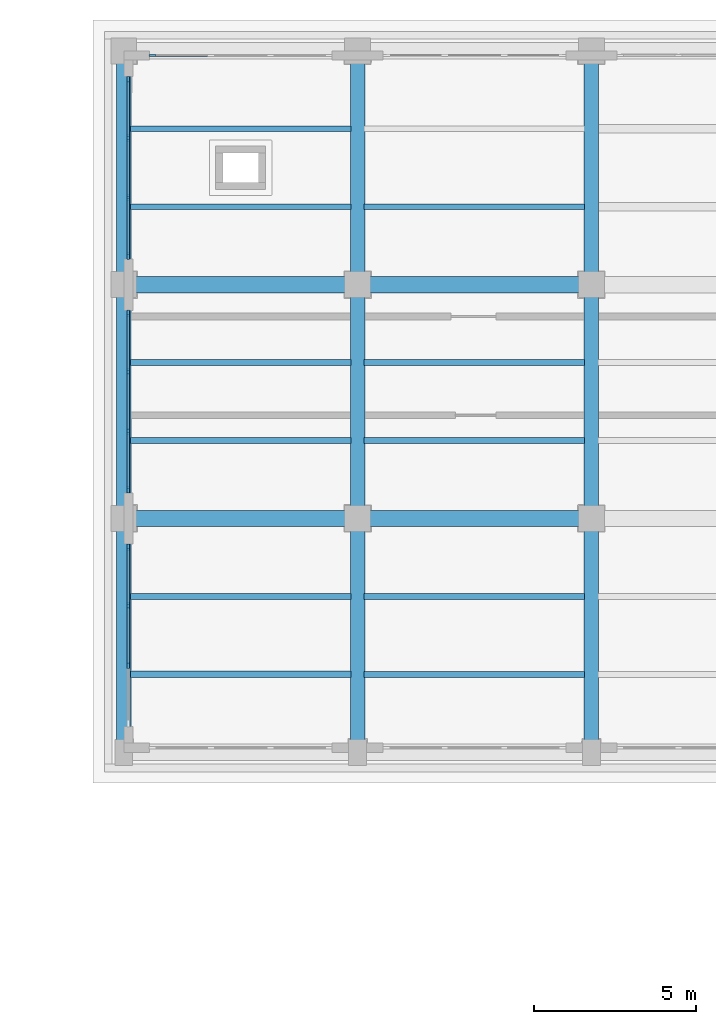
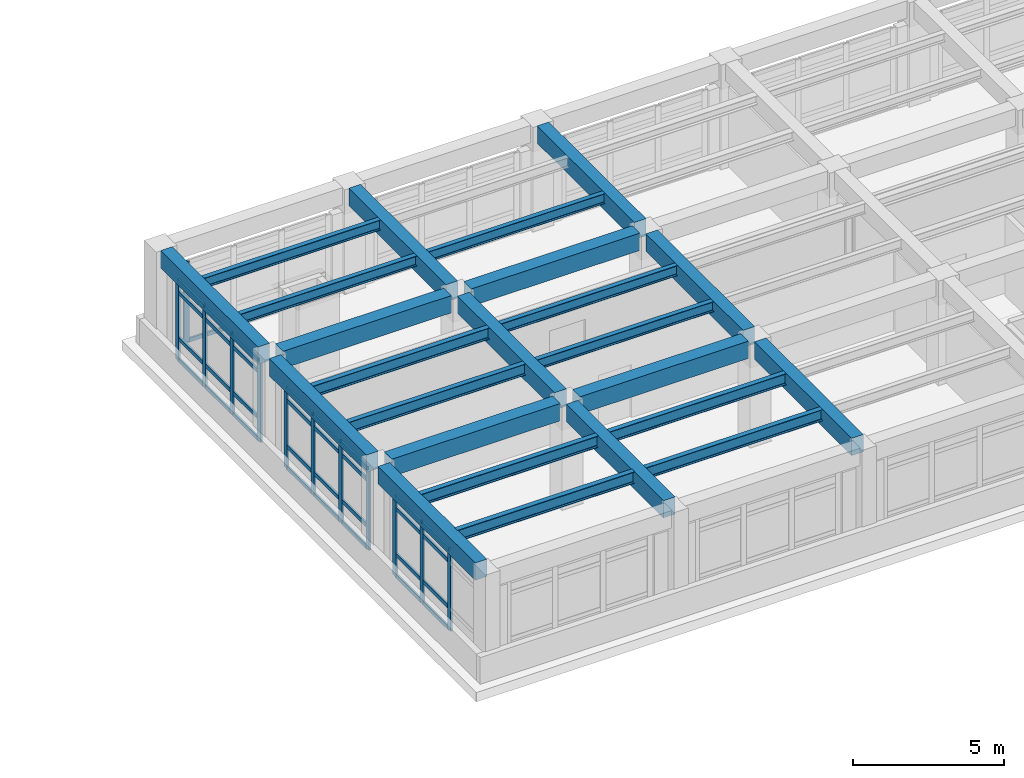
# One storey, part 53 of 98: 45 members, 24 beams, 4 elements without a shape of their own.
"""IFC4 building model written with IfcOpenShell, lengths in metres."""

from ifc_helpers import new_model, si_unit, direction, frame, origin, origin_2d, place, context, subcontext, project, spatial, rectangle, i_section, extrude, material, layer, layer_set, material_profile, profile_set, type_object, element, aggregate, save


model = new_model("IFC4")

# Units and contexts
model_context = context("Model", 3, precision=1e-05, world=origin(), true_north=direction((0.0, 1.0)))
body_context = subcontext(model_context, "Body", "Model", "MODEL_VIEW")
ifc_project = project(units=[si_unit("LENGTHUNIT", "METRE"), si_unit("AREAUNIT", "SQUARE_METRE"), si_unit("VOLUMEUNIT", "CUBIC_METRE"), si_unit("PLANEANGLEUNIT", "RADIAN"), si_unit("MASSUNIT", "GRAM", prefix="KILO")], contexts=[model_context])

# Site, building, storey
site_placement = place(None, origin())
site = spatial("IfcSite", under=ifc_project, at=site_placement, CompositionType="ELEMENT")
building_placement = place(site_placement, origin())
building = spatial("IfcBuilding", under=site, at=building_placement, Name="Solenvale Faculty of Natural Sciences", CompositionType="ELEMENT")
storey_placement = place(building_placement, frame((0.0, 0.0, 9.0)))
storey = spatial("IfcBuildingStorey", under=building, at=storey_placement, Name="L02", CompositionType="ELEMENT", Elevation=9.0)

# Beams
ifc_material_1 = material(Name="Concrete 40 MPa", Category="concrete")
ifc_material_profile_1 = material_profile(ifc_material_1, rectangle(XDim=0.449951171875, YDim=0.699951171875, at=origin_2d()), Name="RC-BM-450x700")
ifc_profile_set_1 = profile_set([ifc_material_profile_1], Name="Concrete 40 MPa")
beam_type_1 = type_object("IfcBeamType", Name="BM-RC-450x700", PredefinedType="BEAM", material=ifc_profile_set_1)
beam_1_placement = place(storey_placement, frame((79.199951171875, 93.97998046875, 3.8701171875), z_axis=(0.0, 1.0, 0.0), x_axis=(-1.0, 0.0, 0.0)))
element("IfcBeam", 1, at=beam_1_placement, inside=storey, type_object=beam_type_1, Name="L02 Y-Girder X79.2 (93.6..100.8)", PredefinedType="BEAM", context=body_context, shape_type="SweptSolid", body=[
    extrude(rectangle(XDim=0.449951171875, YDim=0.699951171875, at=origin_2d()), origin(), (0.0, 0.0, 1.0), 6.43994140625),
])
for number, where, z_axis, x_axis, name in (
    (2, (79.199951171875, 101.179931640625, 3.8701171875), (0.0, 1.0, 0.0), (-1.0, 0.0, 0.0), "L02 Y-Girder X79.2 (100.8..108.0)"),
    (3, (79.199951171875, 108.3798828125, 3.8701171875), (0.0, 1.0, 0.0), (-1.0, 0.0, 0.0), "L02 Y-Girder X79.2 (108.0..115.2)"),
):
    element("IfcBeam", number, at=place(storey_placement, frame(where, z_axis=z_axis, x_axis=x_axis)), inside=storey, type_object=beam_type_1, Name=name, PredefinedType="BEAM", context=body_context, shape_type="SweptSolid", body=[
        extrude(rectangle(XDim=0.449951171875, YDim=0.699951171875, at=origin_2d()), origin(), (0.0, 0.0, 1.0), 6.440185546875),
    ])
beam_2_placement = place(storey_placement, frame((86.39990234375, 93.97998046875, 3.8701171875), z_axis=(0.0, 1.0, 0.0), x_axis=(-1.0, 0.0, 0.0)))
element("IfcBeam", 4, at=beam_2_placement, inside=storey, type_object=beam_type_1, Name="L02 Y-Girder X86.4 (93.6..100.8)", PredefinedType="BEAM", context=body_context, shape_type="SweptSolid", body=[
    extrude(rectangle(XDim=0.449951171875, YDim=0.699951171875, at=origin_2d()), origin(), (0.0, 0.0, 1.0), 6.43994140625),
])
for number, where, z_axis, x_axis, name in (
    (5, (86.39990234375, 101.179931640625, 3.8701171875), (0.0, 1.0, 0.0), (-1.0, 0.0, 0.0), "L02 Y-Girder X86.4 (100.8..108.0)"),
    (6, (86.39990234375, 108.3798828125, 3.8701171875), (0.0, 1.0, 0.0), (-1.0, 0.0, 0.0), "L02 Y-Girder X86.4 (108.0..115.2)"),
):
    element("IfcBeam", number, at=place(storey_placement, frame(where, z_axis=z_axis, x_axis=x_axis)), inside=storey, type_object=beam_type_1, Name=name, PredefinedType="BEAM", context=body_context, shape_type="SweptSolid", body=[
        extrude(rectangle(XDim=0.449951171875, YDim=0.699951171875, at=origin_2d()), origin(), (0.0, 0.0, 1.0), 6.440185546875),
    ])
beam_3_placement = place(storey_placement, frame((93.60009765625, 93.97998046875, 3.8701171875), z_axis=(0.0, 1.0, 0.0), x_axis=(-1.0, 0.0, 0.0)))
element("IfcBeam", 7, at=beam_3_placement, inside=storey, type_object=beam_type_1, Name="L02 Y-Girder X93.6 (93.6..100.8)", PredefinedType="BEAM", context=body_context, shape_type="SweptSolid", body=[
    extrude(rectangle(XDim=0.449951171875, YDim=0.699951171875, at=origin_2d()), origin(), (0.0, 0.0, 1.0), 6.43994140625),
])
for number, where, z_axis, x_axis, name in (
    (8, (93.60009765625, 101.179931640625, 3.8701171875), (0.0, 1.0, 0.0), (-1.0, 0.0, 0.0), "L02 Y-Girder X93.6 (100.8..108.0)"),
    (9, (93.60009765625, 108.3798828125, 3.8701171875), (0.0, 1.0, 0.0), (-1.0, 0.0, 0.0), "L02 Y-Girder X93.6 (108.0..115.2)"),
):
    element("IfcBeam", number, at=place(storey_placement, frame(where, z_axis=z_axis, x_axis=x_axis)), inside=storey, type_object=beam_type_1, Name=name, PredefinedType="BEAM", context=body_context, shape_type="SweptSolid", body=[
        extrude(rectangle(XDim=0.449951171875, YDim=0.699951171875, at=origin_2d()), origin(), (0.0, 0.0, 1.0), 6.440185546875),
    ])
ifc_material_profile_2 = material_profile(ifc_material_1, rectangle(XDim=0.5, YDim=0.699951171875, at=origin_2d()), Name="RC-BM-500x700")
ifc_profile_set_2 = profile_set([ifc_material_profile_2], Name="Concrete 40 MPa")
beam_type_2 = type_object("IfcBeamType", Name="BM-RC-500x700", PredefinedType="BEAM", material=ifc_profile_set_2)
for number, where, z_axis, x_axis, name in (
    (10, (79.580078125, 100.800048828125, 3.8701171875), (1.0, 0.0, 0.0), (0.0, 1.0, 0.0), "L02 X-Girder Y100.8 (79.2..86.4)"),
    (11, (86.780029296875, 100.800048828125, 3.8701171875), (1.0, 0.0, 0.0), (0.0, 1.0, 0.0), "L02 X-Girder Y100.8 (86.4..93.6)"),
    (12, (79.580078125, 108.0, 3.8701171875), (1.0, 0.0, 0.0), (0.0, 1.0, 0.0), "L02 X-Girder Y108.0 (79.2..86.4)"),
    (13, (86.780029296875, 108.0, 3.8701171875), (1.0, 0.0, 0.0), (0.0, 1.0, 0.0), "L02 X-Girder Y108.0 (86.4..93.6)"),
):
    element("IfcBeam", number, at=place(storey_placement, frame(where, z_axis=z_axis, x_axis=x_axis)), inside=storey, type_object=beam_type_2, Name=name, PredefinedType="BEAM", context=body_context, shape_type="SweptSolid", body=[
        extrude(rectangle(XDim=0.5, YDim=0.699951171875, at=origin_2d()), origin(), (0.0, 0.0, 1.0), 6.43994140625),
    ])
ifc_material_2 = material(Name="Steel S355", Category="steel")
ifc_material_profile_3 = material_profile(ifc_material_2, i_section(OverallWidth=0.178955078125, OverallDepth=0.409912109375, WebThickness=0.0087890625, FlangeThickness=0.014404296875, FilletRadius=0.01611328125, at=origin_2d()), Name="W410x67")
ifc_profile_set_3 = profile_set([ifc_material_profile_3], Name="Steel S355")
beam_type_3 = type_object("IfcBeamType", Name="BM-STL-W410x67", PredefinedType="JOIST", material=ifc_profile_set_3)
beam_4_placement = place(storey_placement, frame((86.60498046875, 110.39990234375, 4.014892578125), z_axis=(1.0, 0.0, 0.0), x_axis=(0.0, 1.0, 0.0)))
element("IfcBeam", 14, at=beam_4_placement, inside=storey, type_object=beam_type_3, Name="L02 Composite Floor Joist (13,16).1", PredefinedType="JOIST", context=body_context, shape_type="SweptSolid", body=[
    extrude(i_section(OverallWidth=0.178955078125, OverallDepth=0.409912109375, WebThickness=0.0087890625, FlangeThickness=0.014404296875, FilletRadius=0.01611328125, at=origin_2d()), origin(), (0.0, 0.0, 1.0), 6.7900390625),
])
ifc_material_profile_4 = material_profile(ifc_material_2, i_section(OverallWidth=0.180908203125, OverallDepth=0.4169921875, WebThickness=0.010986328125, FlangeThickness=0.018310546875, FilletRadius=0.01611328125, at=origin_2d()), Name="W410x85")
ifc_profile_set_4 = profile_set([ifc_material_profile_4], Name="Steel S355")
beam_type_4 = type_object("IfcBeamType", Name="BM-STL-W410x85", PredefinedType="JOIST", material=ifc_profile_set_4)
for number, where, z_axis, x_axis, name in (
    (15, (79.405029296875, 110.39990234375, 4.011474609375), (1.0, 0.0, 0.0), (0.0, 1.0, 0.0), "L02 Composite Floor Joist (12,16).1"),
    (16, (79.405029296875, 112.800048828125, 4.011474609375), (1.0, 0.0, 0.0), (0.0, 1.0, 0.0), "L02 Composite Floor Joist (12,16).2"),
    (17, (86.60498046875, 103.199951171875, 4.011474609375), (1.0, 0.0, 0.0), (0.0, 1.0, 0.0), "L02 Composite Floor Joist (13,15).1"),
    (18, (86.60498046875, 105.60009765625, 4.011474609375), (1.0, 0.0, 0.0), (0.0, 1.0, 0.0), "L02 Composite Floor Joist (13,15).2"),
):
    element("IfcBeam", number, at=place(storey_placement, frame(where, z_axis=z_axis, x_axis=x_axis)), inside=storey, type_object=beam_type_4, Name=name, PredefinedType="JOIST", context=body_context, shape_type="SweptSolid", body=[
        extrude(i_section(OverallWidth=0.180908203125, OverallDepth=0.4169921875, WebThickness=0.010986328125, FlangeThickness=0.018310546875, FilletRadius=0.01611328125, at=origin_2d()), origin(), (0.0, 0.0, 1.0), 6.7900390625),
    ])
ifc_material_profile_5 = material_profile(ifc_material_2, i_section(OverallWidth=0.194091796875, OverallDepth=0.468994140625, WebThickness=0.0126953125, FlangeThickness=0.0205078125, FilletRadius=0.01806640625, at=origin_2d()), Name="W460x106")
ifc_profile_set_5 = profile_set([ifc_material_profile_5], Name="Steel S355")
beam_type_5 = type_object("IfcBeamType", Name="BM-STL-W460x106", PredefinedType="JOIST", material=ifc_profile_set_5)
for number, where, z_axis, x_axis, name in (
    (19, (79.405029296875, 96.0, 3.985595703125), (1.0, 0.0, 0.0), (0.0, 1.0, 0.0), "L02 Composite Floor Joist (12,14).1"),
    (20, (79.405029296875, 98.39990234375, 3.985595703125), (1.0, 0.0, 0.0), (0.0, 1.0, 0.0), "L02 Composite Floor Joist (12,14).2"),
):
    element("IfcBeam", number, at=place(storey_placement, frame(where, z_axis=z_axis, x_axis=x_axis)), inside=storey, type_object=beam_type_5, Name=name, PredefinedType="JOIST", context=body_context, shape_type="SweptSolid", body=[
        extrude(i_section(OverallWidth=0.194091796875, OverallDepth=0.468994140625, WebThickness=0.0126953125, FlangeThickness=0.0205078125, FilletRadius=0.01806640625, at=origin_2d()), origin(), (0.0, 0.0, 1.0), 6.7900390625),
    ])
ifc_material_profile_6 = material_profile(ifc_material_2, i_section(OverallWidth=0.19091796875, OverallDepth=0.4599609375, WebThickness=0.010009765625, FlangeThickness=0.01611328125, FilletRadius=0.01806640625, at=origin_2d()), Name="W460x82")
ifc_profile_set_6 = profile_set([ifc_material_profile_6], Name="Steel S355")
beam_type_6 = type_object("IfcBeamType", Name="BM-STL-W460x82", PredefinedType="JOIST", material=ifc_profile_set_6)
for number, where, z_axis, x_axis, name in (
    (21, (79.405029296875, 103.199951171875, 3.989990234375), (1.0, 0.0, 0.0), (0.0, 1.0, 0.0), "L02 Composite Floor Joist (12,15).1"),
    (22, (79.405029296875, 105.60009765625, 3.989990234375), (1.0, 0.0, 0.0), (0.0, 1.0, 0.0), "L02 Composite Floor Joist (12,15).2"),
    (23, (86.60498046875, 96.0, 3.989990234375), (1.0, 0.0, 0.0), (0.0, 1.0, 0.0), "L02 Composite Floor Joist (13,14).1"),
    (24, (86.60498046875, 98.39990234375, 3.989990234375), (1.0, 0.0, 0.0), (0.0, 1.0, 0.0), "L02 Composite Floor Joist (13,14).2"),
):
    element("IfcBeam", number, at=place(storey_placement, frame(where, z_axis=z_axis, x_axis=x_axis)), inside=storey, type_object=beam_type_6, Name=name, PredefinedType="JOIST", context=body_context, shape_type="SweptSolid", body=[
        extrude(i_section(OverallWidth=0.19091796875, OverallDepth=0.4599609375, WebThickness=0.010009765625, FlangeThickness=0.01611328125, FilletRadius=0.01806640625, at=origin_2d()), origin(), (0.0, 0.0, 1.0), 6.7900390625),
    ])

# Curtain wall, member
ifc_material_3 = material(Name="Anodised bronze aluminium", Category="aluminium")
ifc_layer = layer(ifc_material_3, 0.179931640625)
ifc_layer_set = layer_set([ifc_layer], Name="Anodised bronze aluminium")
curtain_wall_type = type_object("IfcCurtainWallType", Name="CW-TWR-MOD", PredefinedType="USERDEFINED", material=ifc_layer_set)
curtain_wall_1_placement = place(storey_placement, origin())
curtain_wall_1 = element("IfcCurtainWall", 25, at=curtain_wall_1_placement, inside=storey, type_object=curtain_wall_type, Name="L02 Curtain Wall CW-L02-P2-E4-B10", ObjectType="UNITISED CURTAIN WALL", PredefinedType="USERDEFINED")
ifc_material_profile_7 = material_profile(ifc_material_3, rectangle(XDim=0.074951171875, YDim=0.2099609375, at=origin_2d()), Name="ALU-MUL-75x210")
ifc_profile_set_7 = profile_set([ifc_material_profile_7], Name="Anodised bronze aluminium")
member_type_1 = type_object("IfcMemberType", Name="CWM-ALU-75x210", PredefinedType="MULLION", material=ifc_profile_set_7)
member_1_placement = place(storey_placement, frame((80.08740234375, 115.0576171875, 0.0), z_axis=(0.0, 0.0, 1.0), x_axis=(0.0, -1.0, 0.0)))
member_1 = element("IfcMember", 26, at=member_1_placement, type_object=member_type_1, Name="CW-04 mullion 4", PredefinedType="MULLION", context=body_context, shape_type="SweptSolid", body=[
    extrude(rectangle(XDim=0.074951171875, YDim=0.2099609375, at=origin_2d()), origin(), (0.0, 0.0, 1.0), 3.260009765625),
])

# Curtain wall, members
curtain_wall_2_placement = place(storey_placement, origin())
curtain_wall_2 = element("IfcCurtainWall", 27, at=curtain_wall_2_placement, inside=storey, type_object=curtain_wall_type, Name="L02 Curtain Wall CW-L02-P2-E5-B1", ObjectType="UNITISED CURTAIN WALL", PredefinedType="USERDEFINED")
member_2_placement = place(storey_placement, frame((79.342529296875, 114.3125, 0.0), z_axis=(0.0, 0.0, 1.0), x_axis=(1.0, 0.0, 0.0)))
member_2 = element("IfcMember", 28, at=member_2_placement, type_object=member_type_1, Name="CW-04 mullion 1", PredefinedType="MULLION", context=body_context, shape_type="SweptSolid", body=[
    extrude(rectangle(XDim=0.074951171875, YDim=0.2099609375, at=origin_2d()), origin(), (0.0, 0.0, 1.0), 3.260009765625),
])
member_3_placement = place(storey_placement, frame((79.342529296875, 112.5166015625, 0.0), z_axis=(0.0, 0.0, 1.0), x_axis=(1.0, 0.0, 0.0)))
member_3 = element("IfcMember", 29, at=member_3_placement, type_object=member_type_1, Name="CW-04 mullion 2", PredefinedType="MULLION", context=body_context, shape_type="SweptSolid", body=[
    extrude(rectangle(XDim=0.074951171875, YDim=0.2099609375, at=origin_2d()), origin(), (0.0, 0.0, 1.0), 3.260009765625),
])
member_4_placement = place(storey_placement, frame((79.342529296875, 110.683349609375, 0.0), z_axis=(0.0, 0.0, 1.0), x_axis=(1.0, 0.0, 0.0)))
member_4 = element("IfcMember", 30, at=member_4_placement, type_object=member_type_1, Name="CW-04 mullion 3", PredefinedType="MULLION", context=body_context, shape_type="SweptSolid", body=[
    extrude(rectangle(XDim=0.074951171875, YDim=0.2099609375, at=origin_2d()), origin(), (0.0, 0.0, 1.0), 3.260009765625),
])
member_5_placement = place(storey_placement, frame((79.342529296875, 108.887451171875, 0.0), z_axis=(0.0, 0.0, 1.0), x_axis=(1.0, 0.0, 0.0)))
member_5 = element("IfcMember", 31, at=member_5_placement, type_object=member_type_1, Name="CW-04 mullion 4", PredefinedType="MULLION", context=body_context, shape_type="SweptSolid", body=[
    extrude(rectangle(XDim=0.074951171875, YDim=0.2099609375, at=origin_2d()), origin(), (0.0, 0.0, 1.0), 3.260009765625),
])

curtain_wall_3_placement = place(storey_placement, origin())
curtain_wall_3 = element("IfcCurtainWall", 32, at=curtain_wall_3_placement, inside=storey, type_object=curtain_wall_type, Name="L02 Curtain Wall CW-L02-P2-E5-B2", ObjectType="UNITISED CURTAIN WALL", PredefinedType="USERDEFINED")
member_6_placement = place(storey_placement, frame((79.342529296875, 107.112548828125, 0.0), z_axis=(0.0, 0.0, 1.0), x_axis=(1.0, 0.0, 0.0)))
member_6 = element("IfcMember", 33, at=member_6_placement, type_object=member_type_1, Name="CW-04 mullion 1", PredefinedType="MULLION", context=body_context, shape_type="SweptSolid", body=[
    extrude(rectangle(XDim=0.074951171875, YDim=0.2099609375, at=origin_2d()), origin(), (0.0, 0.0, 1.0), 3.260009765625),
])
member_7_placement = place(storey_placement, frame((79.342529296875, 105.316650390625, 0.0), z_axis=(0.0, 0.0, 1.0), x_axis=(1.0, 0.0, 0.0)))
member_7 = element("IfcMember", 34, at=member_7_placement, type_object=member_type_1, Name="CW-04 mullion 2", PredefinedType="MULLION", context=body_context, shape_type="SweptSolid", body=[
    extrude(rectangle(XDim=0.074951171875, YDim=0.2099609375, at=origin_2d()), origin(), (0.0, 0.0, 1.0), 3.260009765625),
])
member_8_placement = place(storey_placement, frame((79.342529296875, 103.4833984375, 0.0), z_axis=(0.0, 0.0, 1.0), x_axis=(1.0, 0.0, 0.0)))
member_8 = element("IfcMember", 35, at=member_8_placement, type_object=member_type_1, Name="CW-04 mullion 3", PredefinedType="MULLION", context=body_context, shape_type="SweptSolid", body=[
    extrude(rectangle(XDim=0.074951171875, YDim=0.2099609375, at=origin_2d()), origin(), (0.0, 0.0, 1.0), 3.260009765625),
])
member_9_placement = place(storey_placement, frame((79.342529296875, 101.6875, 0.0), z_axis=(0.0, 0.0, 1.0), x_axis=(1.0, 0.0, 0.0)))
member_9 = element("IfcMember", 36, at=member_9_placement, type_object=member_type_1, Name="CW-04 mullion 4", PredefinedType="MULLION", context=body_context, shape_type="SweptSolid", body=[
    extrude(rectangle(XDim=0.074951171875, YDim=0.2099609375, at=origin_2d()), origin(), (0.0, 0.0, 1.0), 3.260009765625),
])

curtain_wall_4_placement = place(storey_placement, origin())
curtain_wall_4 = element("IfcCurtainWall", 37, at=curtain_wall_4_placement, inside=storey, type_object=curtain_wall_type, Name="L02 Curtain Wall CW-L02-P2-E5-B3", ObjectType="UNITISED CURTAIN WALL", PredefinedType="USERDEFINED")
member_10_placement = place(storey_placement, frame((79.342529296875, 99.91259765625, 0.0), z_axis=(0.0, 0.0, 1.0), x_axis=(1.0, 0.0, 0.0)))
member_10 = element("IfcMember", 38, at=member_10_placement, type_object=member_type_1, Name="CW-04 mullion 1", PredefinedType="MULLION", context=body_context, shape_type="SweptSolid", body=[
    extrude(rectangle(XDim=0.074951171875, YDim=0.2099609375, at=origin_2d()), origin(), (0.0, 0.0, 1.0), 3.260009765625),
])
member_11_placement = place(storey_placement, frame((79.342529296875, 98.11669921875, 0.0), z_axis=(0.0, 0.0, 1.0), x_axis=(1.0, 0.0, 0.0)))
member_11 = element("IfcMember", 39, at=member_11_placement, type_object=member_type_1, Name="CW-04 mullion 2", PredefinedType="MULLION", context=body_context, shape_type="SweptSolid", body=[
    extrude(rectangle(XDim=0.074951171875, YDim=0.2099609375, at=origin_2d()), origin(), (0.0, 0.0, 1.0), 3.260009765625),
])
member_12_placement = place(storey_placement, frame((79.342529296875, 96.283447265625, 0.0), z_axis=(0.0, 0.0, 1.0), x_axis=(1.0, 0.0, 0.0)))
member_12 = element("IfcMember", 40, at=member_12_placement, type_object=member_type_1, Name="CW-04 mullion 3", PredefinedType="MULLION", context=body_context, shape_type="SweptSolid", body=[
    extrude(rectangle(XDim=0.074951171875, YDim=0.2099609375, at=origin_2d()), origin(), (0.0, 0.0, 1.0), 3.260009765625),
])

# Member
ifc_material_profile_8 = material_profile(ifc_material_3, rectangle(XDim=0.074951171875, YDim=0.155029296875, at=origin_2d()), Name="ALU-TRN-75x155")
ifc_profile_set_8 = profile_set([ifc_material_profile_8], Name="Anodised bronze aluminium")
member_type_2 = type_object("IfcMemberType", Name="CWT-ALU-75x155", PredefinedType="USERDEFINED", material=ifc_profile_set_8)
member_13_placement = place(storey_placement, frame((81.845947265625, 115.0576171875, 0.03759765625), z_axis=(-1.0, 0.0, 0.0), x_axis=(0.0, -1.0, 0.0)))
member_13 = element("IfcMember", 41, at=member_13_placement, type_object=member_type_2, Name="CW-04 transom 3.1", ObjectType="TRANSOM", PredefinedType="USERDEFINED", context=body_context, shape_type="SweptSolid", body=[
    extrude(rectangle(XDim=0.074951171875, YDim=0.155029296875, at=origin_2d()), origin(), (0.0, 0.0, 1.0), 1.720947265625),
])

aggregate(curtain_wall_1, [member_1, member_13])

member_14_placement = place(storey_placement, frame((79.342529296875, 114.27490234375, 0.03759765625), z_axis=(0.0, -1.0, 0.0), x_axis=(1.0, 0.0, 0.0)))
member_14 = element("IfcMember", 42, at=member_14_placement, type_object=member_type_2, Name="CW-04 transom 1.1", ObjectType="TRANSOM", PredefinedType="USERDEFINED", context=body_context, shape_type="SweptSolid", body=[
    extrude(rectangle(XDim=0.074951171875, YDim=0.155029296875, at=origin_2d()), origin(), (0.0, 0.0, 1.0), 1.720703125),
])

member_15_placement = place(storey_placement, frame((79.342529296875, 114.27490234375, 0.89990234375), z_axis=(0.0, -1.0, 0.0), x_axis=(1.0, 0.0, 0.0)))
member_15 = element("IfcMember", 43, at=member_15_placement, type_object=member_type_2, Name="CW-04 transom 1.2", ObjectType="TRANSOM", PredefinedType="USERDEFINED", context=body_context, shape_type="SweptSolid", body=[
    extrude(rectangle(XDim=0.074951171875, YDim=0.155029296875, at=origin_2d()), origin(), (0.0, 0.0, 1.0), 1.720703125),
])

member_16_placement = place(storey_placement, frame((79.342529296875, 114.27490234375, 2.760009765625), z_axis=(0.0, -1.0, 0.0), x_axis=(1.0, 0.0, 0.0)))
member_16 = element("IfcMember", 44, at=member_16_placement, type_object=member_type_2, Name="CW-04 transom 1.3", ObjectType="TRANSOM", PredefinedType="USERDEFINED", context=body_context, shape_type="SweptSolid", body=[
    extrude(rectangle(XDim=0.074951171875, YDim=0.155029296875, at=origin_2d()), origin(), (0.0, 0.0, 1.0), 1.720703125),
])

member_17_placement = place(storey_placement, frame((79.342529296875, 114.27490234375, 3.222412109375), z_axis=(0.0, -1.0, 0.0), x_axis=(1.0, 0.0, 0.0)))
member_17 = element("IfcMember", 45, at=member_17_placement, type_object=member_type_2, Name="CW-04 transom 1.4", ObjectType="TRANSOM", PredefinedType="USERDEFINED", context=body_context, shape_type="SweptSolid", body=[
    extrude(rectangle(XDim=0.074951171875, YDim=0.155029296875, at=origin_2d()), origin(), (0.0, 0.0, 1.0), 1.720703125),
])

member_18_placement = place(storey_placement, frame((79.342529296875, 112.479248046875, 0.03759765625), z_axis=(0.0, -1.0, 0.0), x_axis=(1.0, 0.0, 0.0)))
member_18 = element("IfcMember", 46, at=member_18_placement, type_object=member_type_2, Name="CW-04 transom 2.1", ObjectType="TRANSOM", PredefinedType="USERDEFINED", context=body_context, shape_type="SweptSolid", body=[
    extrude(rectangle(XDim=0.074951171875, YDim=0.155029296875, at=origin_2d()), origin(), (0.0, 0.0, 1.0), 1.75830078125),
])

member_19_placement = place(storey_placement, frame((79.342529296875, 112.479248046875, 0.89990234375), z_axis=(0.0, -1.0, 0.0), x_axis=(1.0, 0.0, 0.0)))
member_19 = element("IfcMember", 47, at=member_19_placement, type_object=member_type_2, Name="CW-04 transom 2.2", ObjectType="TRANSOM", PredefinedType="USERDEFINED", context=body_context, shape_type="SweptSolid", body=[
    extrude(rectangle(XDim=0.074951171875, YDim=0.155029296875, at=origin_2d()), origin(), (0.0, 0.0, 1.0), 1.75830078125),
])

member_20_placement = place(storey_placement, frame((79.342529296875, 112.479248046875, 2.760009765625), z_axis=(0.0, -1.0, 0.0), x_axis=(1.0, 0.0, 0.0)))
member_20 = element("IfcMember", 48, at=member_20_placement, type_object=member_type_2, Name="CW-04 transom 2.3", ObjectType="TRANSOM", PredefinedType="USERDEFINED", context=body_context, shape_type="SweptSolid", body=[
    extrude(rectangle(XDim=0.074951171875, YDim=0.155029296875, at=origin_2d()), origin(), (0.0, 0.0, 1.0), 1.75830078125),
])

member_21_placement = place(storey_placement, frame((79.342529296875, 112.479248046875, 3.222412109375), z_axis=(0.0, -1.0, 0.0), x_axis=(1.0, 0.0, 0.0)))
member_21 = element("IfcMember", 49, at=member_21_placement, type_object=member_type_2, Name="CW-04 transom 2.4", ObjectType="TRANSOM", PredefinedType="USERDEFINED", context=body_context, shape_type="SweptSolid", body=[
    extrude(rectangle(XDim=0.074951171875, YDim=0.155029296875, at=origin_2d()), origin(), (0.0, 0.0, 1.0), 1.75830078125),
])

member_22_placement = place(storey_placement, frame((79.342529296875, 110.645751953125, 0.03759765625), z_axis=(0.0, -1.0, 0.0), x_axis=(1.0, 0.0, 0.0)))
member_22 = element("IfcMember", 50, at=member_22_placement, type_object=member_type_2, Name="CW-04 transom 3.1", ObjectType="TRANSOM", PredefinedType="USERDEFINED", context=body_context, shape_type="SweptSolid", body=[
    extrude(rectangle(XDim=0.074951171875, YDim=0.155029296875, at=origin_2d()), origin(), (0.0, 0.0, 1.0), 1.720703125),
])

member_23_placement = place(storey_placement, frame((79.342529296875, 110.645751953125, 0.89990234375), z_axis=(0.0, -1.0, 0.0), x_axis=(1.0, 0.0, 0.0)))
member_23 = element("IfcMember", 51, at=member_23_placement, type_object=member_type_2, Name="CW-04 transom 3.2", ObjectType="TRANSOM", PredefinedType="USERDEFINED", context=body_context, shape_type="SweptSolid", body=[
    extrude(rectangle(XDim=0.074951171875, YDim=0.155029296875, at=origin_2d()), origin(), (0.0, 0.0, 1.0), 1.720703125),
])

member_24_placement = place(storey_placement, frame((79.342529296875, 110.645751953125, 2.760009765625), z_axis=(0.0, -1.0, 0.0), x_axis=(1.0, 0.0, 0.0)))
member_24 = element("IfcMember", 52, at=member_24_placement, type_object=member_type_2, Name="CW-04 transom 3.3", ObjectType="TRANSOM", PredefinedType="USERDEFINED", context=body_context, shape_type="SweptSolid", body=[
    extrude(rectangle(XDim=0.074951171875, YDim=0.155029296875, at=origin_2d()), origin(), (0.0, 0.0, 1.0), 1.720703125),
])

member_25_placement = place(storey_placement, frame((79.342529296875, 110.645751953125, 3.222412109375), z_axis=(0.0, -1.0, 0.0), x_axis=(1.0, 0.0, 0.0)))
member_25 = element("IfcMember", 53, at=member_25_placement, type_object=member_type_2, Name="CW-04 transom 3.4", ObjectType="TRANSOM", PredefinedType="USERDEFINED", context=body_context, shape_type="SweptSolid", body=[
    extrude(rectangle(XDim=0.074951171875, YDim=0.155029296875, at=origin_2d()), origin(), (0.0, 0.0, 1.0), 1.720703125),
])

aggregate(curtain_wall_2, [member_2, member_3, member_4, member_5, member_14, member_15, member_16, member_17, member_18, member_19, member_20, member_21, member_22, member_23, member_24, member_25])

member_26_placement = place(storey_placement, frame((79.342529296875, 107.074951171875, 0.03759765625), z_axis=(0.0, -1.0, 0.0), x_axis=(1.0, 0.0, 0.0)))
member_26 = element("IfcMember", 54, at=member_26_placement, type_object=member_type_2, Name="CW-04 transom 1.1", ObjectType="TRANSOM", PredefinedType="USERDEFINED", context=body_context, shape_type="SweptSolid", body=[
    extrude(rectangle(XDim=0.074951171875, YDim=0.155029296875, at=origin_2d()), origin(), (0.0, 0.0, 1.0), 1.720703125),
])

member_27_placement = place(storey_placement, frame((79.342529296875, 107.074951171875, 0.89990234375), z_axis=(0.0, -1.0, 0.0), x_axis=(1.0, 0.0, 0.0)))
member_27 = element("IfcMember", 55, at=member_27_placement, type_object=member_type_2, Name="CW-04 transom 1.2", ObjectType="TRANSOM", PredefinedType="USERDEFINED", context=body_context, shape_type="SweptSolid", body=[
    extrude(rectangle(XDim=0.074951171875, YDim=0.155029296875, at=origin_2d()), origin(), (0.0, 0.0, 1.0), 1.720703125),
])

member_28_placement = place(storey_placement, frame((79.342529296875, 107.074951171875, 2.760009765625), z_axis=(0.0, -1.0, 0.0), x_axis=(1.0, 0.0, 0.0)))
member_28 = element("IfcMember", 56, at=member_28_placement, type_object=member_type_2, Name="CW-04 transom 1.3", ObjectType="TRANSOM", PredefinedType="USERDEFINED", context=body_context, shape_type="SweptSolid", body=[
    extrude(rectangle(XDim=0.074951171875, YDim=0.155029296875, at=origin_2d()), origin(), (0.0, 0.0, 1.0), 1.720703125),
])

member_29_placement = place(storey_placement, frame((79.342529296875, 107.074951171875, 3.222412109375), z_axis=(0.0, -1.0, 0.0), x_axis=(1.0, 0.0, 0.0)))
member_29 = element("IfcMember", 57, at=member_29_placement, type_object=member_type_2, Name="CW-04 transom 1.4", ObjectType="TRANSOM", PredefinedType="USERDEFINED", context=body_context, shape_type="SweptSolid", body=[
    extrude(rectangle(XDim=0.074951171875, YDim=0.155029296875, at=origin_2d()), origin(), (0.0, 0.0, 1.0), 1.720703125),
])

member_30_placement = place(storey_placement, frame((79.342529296875, 105.279052734375, 0.03759765625), z_axis=(0.0, -1.0, 0.0), x_axis=(1.0, 0.0, 0.0)))
member_30 = element("IfcMember", 58, at=member_30_placement, type_object=member_type_2, Name="CW-04 transom 2.1", ObjectType="TRANSOM", PredefinedType="USERDEFINED", context=body_context, shape_type="SweptSolid", body=[
    extrude(rectangle(XDim=0.074951171875, YDim=0.155029296875, at=origin_2d()), origin(), (0.0, 0.0, 1.0), 1.75830078125),
])

member_31_placement = place(storey_placement, frame((79.342529296875, 105.279052734375, 0.89990234375), z_axis=(0.0, -1.0, 0.0), x_axis=(1.0, 0.0, 0.0)))
member_31 = element("IfcMember", 59, at=member_31_placement, type_object=member_type_2, Name="CW-04 transom 2.2", ObjectType="TRANSOM", PredefinedType="USERDEFINED", context=body_context, shape_type="SweptSolid", body=[
    extrude(rectangle(XDim=0.074951171875, YDim=0.155029296875, at=origin_2d()), origin(), (0.0, 0.0, 1.0), 1.75830078125),
])

member_32_placement = place(storey_placement, frame((79.342529296875, 105.279052734375, 2.760009765625), z_axis=(0.0, -1.0, 0.0), x_axis=(1.0, 0.0, 0.0)))
member_32 = element("IfcMember", 60, at=member_32_placement, type_object=member_type_2, Name="CW-04 transom 2.3", ObjectType="TRANSOM", PredefinedType="USERDEFINED", context=body_context, shape_type="SweptSolid", body=[
    extrude(rectangle(XDim=0.074951171875, YDim=0.155029296875, at=origin_2d()), origin(), (0.0, 0.0, 1.0), 1.75830078125),
])

member_33_placement = place(storey_placement, frame((79.342529296875, 105.279052734375, 3.222412109375), z_axis=(0.0, -1.0, 0.0), x_axis=(1.0, 0.0, 0.0)))
member_33 = element("IfcMember", 61, at=member_33_placement, type_object=member_type_2, Name="CW-04 transom 2.4", ObjectType="TRANSOM", PredefinedType="USERDEFINED", context=body_context, shape_type="SweptSolid", body=[
    extrude(rectangle(XDim=0.074951171875, YDim=0.155029296875, at=origin_2d()), origin(), (0.0, 0.0, 1.0), 1.75830078125),
])

member_34_placement = place(storey_placement, frame((79.342529296875, 103.44580078125, 0.03759765625), z_axis=(0.0, -1.0, 0.0), x_axis=(1.0, 0.0, 0.0)))
member_34 = element("IfcMember", 62, at=member_34_placement, type_object=member_type_2, Name="CW-04 transom 3.1", ObjectType="TRANSOM", PredefinedType="USERDEFINED", context=body_context, shape_type="SweptSolid", body=[
    extrude(rectangle(XDim=0.074951171875, YDim=0.155029296875, at=origin_2d()), origin(), (0.0, 0.0, 1.0), 1.720703125),
])

member_35_placement = place(storey_placement, frame((79.342529296875, 103.44580078125, 0.89990234375), z_axis=(0.0, -1.0, 0.0), x_axis=(1.0, 0.0, 0.0)))
member_35 = element("IfcMember", 63, at=member_35_placement, type_object=member_type_2, Name="CW-04 transom 3.2", ObjectType="TRANSOM", PredefinedType="USERDEFINED", context=body_context, shape_type="SweptSolid", body=[
    extrude(rectangle(XDim=0.074951171875, YDim=0.155029296875, at=origin_2d()), origin(), (0.0, 0.0, 1.0), 1.720703125),
])

member_36_placement = place(storey_placement, frame((79.342529296875, 103.44580078125, 2.760009765625), z_axis=(0.0, -1.0, 0.0), x_axis=(1.0, 0.0, 0.0)))
member_36 = element("IfcMember", 64, at=member_36_placement, type_object=member_type_2, Name="CW-04 transom 3.3", ObjectType="TRANSOM", PredefinedType="USERDEFINED", context=body_context, shape_type="SweptSolid", body=[
    extrude(rectangle(XDim=0.074951171875, YDim=0.155029296875, at=origin_2d()), origin(), (0.0, 0.0, 1.0), 1.720703125),
])

member_37_placement = place(storey_placement, frame((79.342529296875, 103.44580078125, 3.222412109375), z_axis=(0.0, -1.0, 0.0), x_axis=(1.0, 0.0, 0.0)))
member_37 = element("IfcMember", 65, at=member_37_placement, type_object=member_type_2, Name="CW-04 transom 3.4", ObjectType="TRANSOM", PredefinedType="USERDEFINED", context=body_context, shape_type="SweptSolid", body=[
    extrude(rectangle(XDim=0.074951171875, YDim=0.155029296875, at=origin_2d()), origin(), (0.0, 0.0, 1.0), 1.720703125),
])

aggregate(curtain_wall_3, [member_6, member_7, member_8, member_9, member_26, member_27, member_28, member_29, member_30, member_31, member_32, member_33, member_34, member_35, member_36, member_37])

member_38_placement = place(storey_placement, frame((79.342529296875, 99.875, 0.03759765625), z_axis=(0.0, -1.0, 0.0), x_axis=(1.0, 0.0, 0.0)))
member_38 = element("IfcMember", 66, at=member_38_placement, type_object=member_type_2, Name="CW-04 transom 1.1", ObjectType="TRANSOM", PredefinedType="USERDEFINED", context=body_context, shape_type="SweptSolid", body=[
    extrude(rectangle(XDim=0.074951171875, YDim=0.155029296875, at=origin_2d()), origin(), (0.0, 0.0, 1.0), 1.720947265625),
])

member_39_placement = place(storey_placement, frame((79.342529296875, 99.875, 0.89990234375), z_axis=(0.0, -1.0, 0.0), x_axis=(1.0, 0.0, 0.0)))
member_39 = element("IfcMember", 67, at=member_39_placement, type_object=member_type_2, Name="CW-04 transom 1.2", ObjectType="TRANSOM", PredefinedType="USERDEFINED", context=body_context, shape_type="SweptSolid", body=[
    extrude(rectangle(XDim=0.074951171875, YDim=0.155029296875, at=origin_2d()), origin(), (0.0, 0.0, 1.0), 1.720947265625),
])

member_40_placement = place(storey_placement, frame((79.342529296875, 99.875, 2.760009765625), z_axis=(0.0, -1.0, 0.0), x_axis=(1.0, 0.0, 0.0)))
member_40 = element("IfcMember", 68, at=member_40_placement, type_object=member_type_2, Name="CW-04 transom 1.3", ObjectType="TRANSOM", PredefinedType="USERDEFINED", context=body_context, shape_type="SweptSolid", body=[
    extrude(rectangle(XDim=0.074951171875, YDim=0.155029296875, at=origin_2d()), origin(), (0.0, 0.0, 1.0), 1.720947265625),
])

member_41_placement = place(storey_placement, frame((79.342529296875, 99.875, 3.222412109375), z_axis=(0.0, -1.0, 0.0), x_axis=(1.0, 0.0, 0.0)))
member_41 = element("IfcMember", 69, at=member_41_placement, type_object=member_type_2, Name="CW-04 transom 1.4", ObjectType="TRANSOM", PredefinedType="USERDEFINED", context=body_context, shape_type="SweptSolid", body=[
    extrude(rectangle(XDim=0.074951171875, YDim=0.155029296875, at=origin_2d()), origin(), (0.0, 0.0, 1.0), 1.720947265625),
])

member_42_placement = place(storey_placement, frame((79.342529296875, 98.0791015625, 0.03759765625), z_axis=(0.0, -1.0, 0.0), x_axis=(1.0, 0.0, 0.0)))
member_42 = element("IfcMember", 70, at=member_42_placement, type_object=member_type_2, Name="CW-04 transom 2.1", ObjectType="TRANSOM", PredefinedType="USERDEFINED", context=body_context, shape_type="SweptSolid", body=[
    extrude(rectangle(XDim=0.074951171875, YDim=0.155029296875, at=origin_2d()), origin(), (0.0, 0.0, 1.0), 1.75830078125),
])

member_43_placement = place(storey_placement, frame((79.342529296875, 98.0791015625, 0.89990234375), z_axis=(0.0, -1.0, 0.0), x_axis=(1.0, 0.0, 0.0)))
member_43 = element("IfcMember", 71, at=member_43_placement, type_object=member_type_2, Name="CW-04 transom 2.2", ObjectType="TRANSOM", PredefinedType="USERDEFINED", context=body_context, shape_type="SweptSolid", body=[
    extrude(rectangle(XDim=0.074951171875, YDim=0.155029296875, at=origin_2d()), origin(), (0.0, 0.0, 1.0), 1.75830078125),
])

member_44_placement = place(storey_placement, frame((79.342529296875, 98.0791015625, 2.760009765625), z_axis=(0.0, -1.0, 0.0), x_axis=(1.0, 0.0, 0.0)))
member_44 = element("IfcMember", 72, at=member_44_placement, type_object=member_type_2, Name="CW-04 transom 2.3", ObjectType="TRANSOM", PredefinedType="USERDEFINED", context=body_context, shape_type="SweptSolid", body=[
    extrude(rectangle(XDim=0.074951171875, YDim=0.155029296875, at=origin_2d()), origin(), (0.0, 0.0, 1.0), 1.75830078125),
])

member_45_placement = place(storey_placement, frame((79.342529296875, 98.0791015625, 3.222412109375), z_axis=(0.0, -1.0, 0.0), x_axis=(1.0, 0.0, 0.0)))
member_45 = element("IfcMember", 73, at=member_45_placement, type_object=member_type_2, Name="CW-04 transom 2.4", ObjectType="TRANSOM", PredefinedType="USERDEFINED", context=body_context, shape_type="SweptSolid", body=[
    extrude(rectangle(XDim=0.074951171875, YDim=0.155029296875, at=origin_2d()), origin(), (0.0, 0.0, 1.0), 1.75830078125),
])

aggregate(curtain_wall_4, [member_10, member_11, member_12, member_38, member_39, member_40, member_41, member_42, member_43, member_44, member_45])

save(model, "model.ifc")
